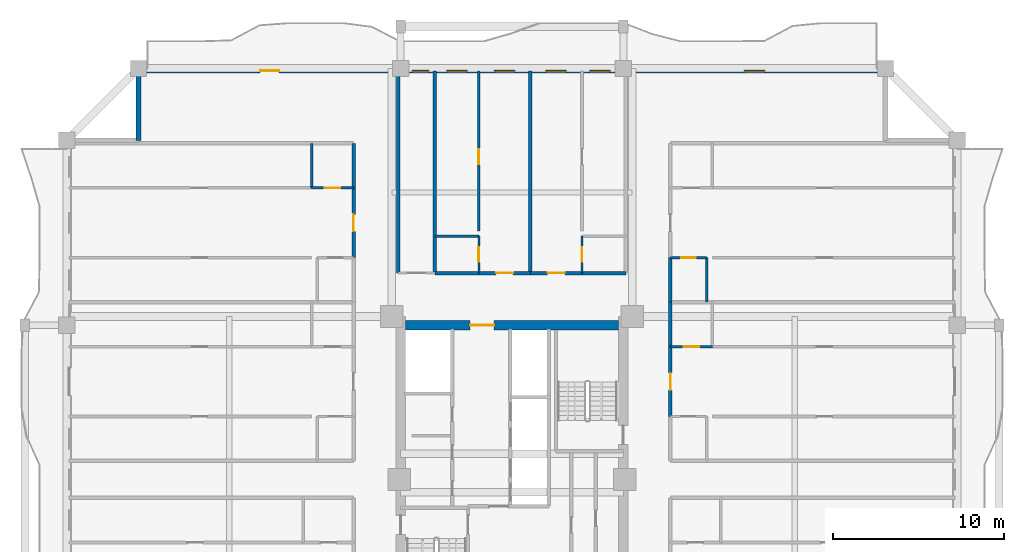
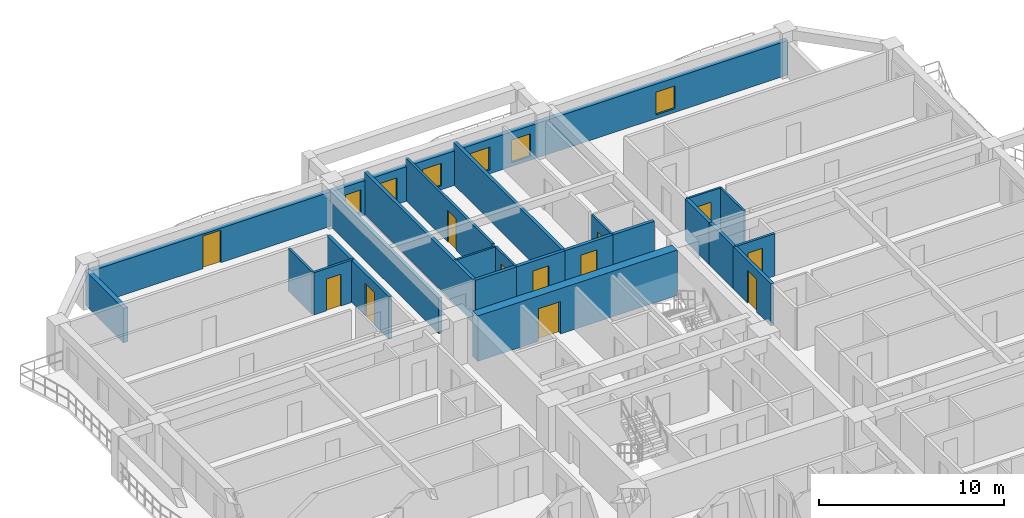
# One storey, part 7 of 13: 24 walls, 12 doors, 6 windows, 18 openings.
"""IFC4 building model written with IfcOpenShell, lengths in metres."""

from ifc_helpers import new_model, si_unit, direction, frame, frame_2d, origin, place, context, subcontext, project, spatial, rectangle, extrude, source, transform, mapped, material, layer, layer_set, type_object, element, fill, save


model = new_model("IFC4")

# Units and contexts
model_context = context("Model", 3, precision=1e-05, world=origin(), true_north=direction((0.0, 1.0)))
body_context = subcontext(model_context, "Body", "Model", "MODEL_VIEW")
ifc_project = project(units=[si_unit("LENGTHUNIT", "METRE"), si_unit("AREAUNIT", "SQUARE_METRE"), si_unit("VOLUMEUNIT", "CUBIC_METRE"), si_unit("PLANEANGLEUNIT", "RADIAN"), si_unit("MASSUNIT", "GRAM", prefix="KILO")], contexts=[model_context])

# Site, building, storey
site_placement = place(None, origin())
site = spatial("IfcSite", under=ifc_project, at=site_placement, CompositionType="ELEMENT")
building_placement = place(site_placement, origin())
building = spatial("IfcBuilding", under=site, at=building_placement, Name="Saelheon Loggia Tower", CompositionType="ELEMENT")
storey_placement = place(building_placement, frame((0.0, 0.0, 104.85009765625)))
storey = spatial("IfcBuildingStorey", under=building, at=storey_placement, Name="L33", CompositionType="ELEMENT", Elevation=104.85009765625)

# Wall, opening, door
ifc_material_1 = material(Name="Concrete C50/60", Category="concrete")
ifc_layer_1 = layer(ifc_material_1, 0.550048828125)
ifc_layer_set_1 = layer_set([ifc_layer_1], Name="Concrete C50/60")
wall_type_1 = type_object("IfcWallType", Name="Wall_CoreShear_550", PredefinedType="SHEAR", material=ifc_layer_set_1)
wall_1_placement = place(storey_placement, frame((31.77490234375, 36.0, 0.0), z_axis=(0.0, 0.0, 1.0), x_axis=(1.0, 0.0, 0.0)))
wall_1 = element("IfcWall", 1, at=wall_1_placement, inside=storey, type_object=wall_type_1, Name="L33 Core Shear Wall North", PredefinedType="SHEAR", context=body_context, shape_type="SweptSolid", body=[
    extrude(rectangle(XDim=12.4501953125, YDim=0.550048828125, at=frame_2d((6.22509765625, 0.0))), origin(), (0.0, 0.0, 1.0), 3.0),
])
opening_1_placement = place(wall_1_placement, frame((5.1748046875, 0.0, 0.0), z_axis=(0.0, 0.0, 1.0), x_axis=(-1.0, 0.0, 0.0)))
opening_1 = element("IfcOpeningElement", 2, at=opening_1_placement, cuts=wall_1, Name="Opening D-FD2L", PredefinedType="OPENING", context=body_context, shape_type="SweptSolid", body=[
    extrude(rectangle(XDim=1.39990234375, YDim=2.14990234375, at=frame_2d((0.699951171875, 1.074951171875))), frame((0.0, 0.287109375, 0.0), z_axis=(0.0, -1.0, 0.0), x_axis=(1.0, 0.0, 0.0)), (0.0, 0.0, 1.0), 0.573974609375),
])
ifc_material_2 = material(Name="Galvanised Steel Glazed Lobby Fire Door", Category="steel")
door_type_1 = type_object("IfcDoorType", Name="Door_Fire_FD60_1400", OperationType="NOTDEFINED", PredefinedType="DOOR", material=ifc_material_2)
shared_shape_1 = source(origin(), body_context, "Body", "SweptSolid", [
    extrude(rectangle(XDim=1.39990234375, YDim=2.14990234375, at=frame_2d((0.699951171875, 1.074951171875))), frame((0.0, 0.02490234375, 0.0), z_axis=(0.0, -1.0, 0.0), x_axis=(1.0, 0.0, 0.0)), (0.0, 0.0, 1.0), 0.050048828125),
])
door_1_placement = place(opening_1_placement, origin())
door_1 = element("IfcDoor", 3, at=door_1_placement, inside=storey, type_object=door_type_1, Name="L33 Passenger Lift Lobby Main Door", OperationType="SINGLE_SWING_RIGHT", OverallHeight=2.14990234375, OverallWidth=1.39990234375, PredefinedType="DOOR", context=body_context, shape_type="MappedRepresentation", body=[
    mapped(shared_shape_1, transform((0.0, 0.0, 0.0), scale=1.0)),
])
fill(opening_1, door_1)

# Wall, openings, windows, door
ifc_material_3 = material(Name="Architectural Precast Concrete C40/50", Category="concrete")
ifc_layer_2 = layer(ifc_material_3, 0.280029296875)
ifc_layer_set_2 = layer_set([ifc_layer_2], Name="Architectural Precast Concrete C40/50")
wall_type_2 = type_object("IfcWallType", Name="Wall_Ext_Loggia_280", PredefinedType="SOLIDWALL", material=ifc_layer_set_2)
wall_2_placement = place(storey_placement, frame((16.199951171875, 50.860107421875, 0.0), z_axis=(0.0, 0.0, 1.0), x_axis=(1.0, 0.0, 0.0)))
wall_2 = element("IfcWall", 4, at=wall_2_placement, inside=storey, type_object=wall_type_2, Name="L33 North Loggia Inner Wall", PredefinedType="SOLIDWALL", context=body_context, shape_type="SweptSolid", body=[
    extrude(rectangle(XDim=43.60009765625, YDim=0.280029296875, at=frame_2d((21.800048828125, 0.0))), origin(), (0.0, 0.0, 1.0), 2.27978515625),
])
opening_2_placement = place(wall_2_placement, frame((7.10009765625, 0.0, 0.0)))
opening_2 = element("IfcOpeningElement", 5, at=opening_2_placement, cuts=wall_2, Name="Opening TD1", PredefinedType="OPENING", context=body_context, shape_type="SweptSolid", body=[
    extrude(rectangle(XDim=1.10009765625, YDim=2.14990234375, at=frame_2d((0.550048828125, 1.074951171875))), frame((0.0, 0.152099609375, 0.0), z_axis=(0.0, -1.0, 0.0), x_axis=(1.0, 0.0, 0.0)), (0.0, 0.0, 1.0), 0.303955078125),
])
opening_3_placement = place(wall_2_placement, frame((15.982421875, 0.0, 0.25)))
opening_3 = element("IfcOpeningElement", 6, at=opening_3_placement, cuts=wall_2, Name="Opening WN-04", PredefinedType="OPENING", context=body_context, shape_type="SweptSolid", body=[
    extrude(rectangle(XDim=0.949951171875, YDim=1.5, at=frame_2d((0.47509765625, 0.75))), frame((0.0, 0.152099609375, 0.0), z_axis=(0.0, -1.0, 0.0), x_axis=(1.0, 0.0, 0.0)), (0.0, 0.0, 1.0), 0.303955078125),
])
opening_4_placement = place(wall_2_placement, frame((17.982421875, 0.0, 0.25)))
opening_4 = element("IfcOpeningElement", 7, at=opening_4_placement, cuts=wall_2, Name="Opening WN-03", PredefinedType="OPENING", context=body_context, shape_type="SweptSolid", body=[
    extrude(rectangle(XDim=1.199951171875, YDim=1.5, at=frame_2d((0.60009765625, 0.75))), frame((0.0, 0.152099609375, 0.0), z_axis=(0.0, -1.0, 0.0), x_axis=(1.0, 0.0, 0.0)), (0.0, 0.0, 1.0), 0.303955078125),
])
opening_5_placement = place(wall_2_placement, frame((20.769775390625, 0.0, 0.25)))
opening_5 = element("IfcOpeningElement", 8, at=opening_5_placement, cuts=wall_2, Name="Opening WN-03", PredefinedType="OPENING", context=body_context, shape_type="SweptSolid", body=[
    extrude(rectangle(XDim=1.199951171875, YDim=1.5, at=frame_2d((0.60009765625, 0.75))), frame((0.0, 0.152099609375, 0.0), z_axis=(0.0, -1.0, 0.0), x_axis=(1.0, 0.0, 0.0)), (0.0, 0.0, 1.0), 0.303955078125),
])
opening_6_placement = place(wall_2_placement, frame((23.7802734375, 0.0, 0.25)))
opening_6 = element("IfcOpeningElement", 9, at=opening_6_placement, cuts=wall_2, Name="Opening WN-03", PredefinedType="OPENING", context=body_context, shape_type="SweptSolid", body=[
    extrude(rectangle(XDim=1.199951171875, YDim=1.5, at=frame_2d((0.60009765625, 0.75))), frame((0.0, 0.152099609375, 0.0), z_axis=(0.0, -1.0, 0.0), x_axis=(1.0, 0.0, 0.0)), (0.0, 0.0, 1.0), 0.303955078125),
])
opening_7_placement = place(wall_2_placement, frame((26.335205078125, 0.0, 0.25)))
opening_7 = element("IfcOpeningElement", 10, at=opening_7_placement, cuts=wall_2, Name="Opening WN-03", PredefinedType="OPENING", context=body_context, shape_type="SweptSolid", body=[
    extrude(rectangle(XDim=1.199951171875, YDim=1.5, at=frame_2d((0.60009765625, 0.75))), frame((0.0, 0.152099609375, 0.0), z_axis=(0.0, -1.0, 0.0), x_axis=(1.0, 0.0, 0.0)), (0.0, 0.0, 1.0), 0.303955078125),
])
opening_8_placement = place(wall_2_placement, frame((35.35009765625, 0.0, 0.25)))
opening_8 = element("IfcOpeningElement", 11, at=opening_8_placement, cuts=wall_2, Name="Opening WN-03", PredefinedType="OPENING", context=body_context, shape_type="SweptSolid", body=[
    extrude(rectangle(XDim=1.199951171875, YDim=1.5, at=frame_2d((0.60009765625, 0.75))), frame((0.0, 0.152099609375, 0.0), z_axis=(0.0, -1.0, 0.0), x_axis=(1.0, 0.0, 0.0)), (0.0, 0.0, 1.0), 0.303955078125),
])
ifc_material_4 = material(Name="Thermal-Break Aluminium and Triple Low-E Glass", Category="aluminium")
window_type_1 = type_object("IfcWindowType", Name="Win_Bedroom_1200x1500", PartitioningType="SINGLE_PANEL", PredefinedType="WINDOW", material=ifc_material_4)
shared_shape_2 = source(origin(), body_context, "Body", "SweptSolid", [
    extrude(rectangle(XDim=1.199951171875, YDim=1.5, at=frame_2d((0.60009765625, 0.75))), frame((0.0, 0.030029296875, 0.0), z_axis=(0.0, -1.0, 0.0), x_axis=(1.0, 0.0, 0.0)), (0.0, 0.0, 1.0), 0.06005859375),
])
window_1_placement = place(opening_4_placement, origin())
window_1 = element("IfcWindow", 12, at=window_1_placement, inside=storey, type_object=window_type_1, Name="L33 N Dwelling Window 3", OverallHeight=1.5, OverallWidth=1.199951171875, PartitioningType="SINGLE_PANEL", PredefinedType="WINDOW", context=body_context, shape_type="MappedRepresentation", body=[
    mapped(shared_shape_2, transform((0.0, 0.0, 0.0), scale=1.0)),
])
fill(opening_4, window_1)
window_2_placement = place(opening_5_placement, origin())
window_2 = element("IfcWindow", 13, at=window_2_placement, inside=storey, type_object=window_type_1, Name="L33 N Dwelling Window 4", OverallHeight=1.5, OverallWidth=1.199951171875, PartitioningType="SINGLE_PANEL", PredefinedType="WINDOW", context=body_context, shape_type="MappedRepresentation", body=[
    mapped(shared_shape_2, transform((0.0, 0.0, 0.0), scale=1.0)),
])
fill(opening_5, window_2)
window_3_placement = place(opening_6_placement, origin())
window_3 = element("IfcWindow", 14, at=window_3_placement, inside=storey, type_object=window_type_1, Name="L33 N Dwelling Window 5", OverallHeight=1.5, OverallWidth=1.199951171875, PartitioningType="SINGLE_PANEL", PredefinedType="WINDOW", context=body_context, shape_type="MappedRepresentation", body=[
    mapped(shared_shape_2, transform((0.0, 0.0, 0.0), scale=1.0)),
])
fill(opening_6, window_3)
window_4_placement = place(opening_7_placement, origin())
window_4 = element("IfcWindow", 15, at=window_4_placement, inside=storey, type_object=window_type_1, Name="L33 N Dwelling Window 6", OverallHeight=1.5, OverallWidth=1.199951171875, PartitioningType="SINGLE_PANEL", PredefinedType="WINDOW", context=body_context, shape_type="MappedRepresentation", body=[
    mapped(shared_shape_2, transform((0.0, 0.0, 0.0), scale=1.0)),
])
fill(opening_7, window_4)
window_5_placement = place(opening_8_placement, origin())
window_5 = element("IfcWindow", 16, at=window_5_placement, inside=storey, type_object=window_type_1, Name="L33 N Dwelling Window 7", OverallHeight=1.5, OverallWidth=1.199951171875, PartitioningType="SINGLE_PANEL", PredefinedType="WINDOW", context=body_context, shape_type="MappedRepresentation", body=[
    mapped(shared_shape_2, transform((0.0, 0.0, 0.0), scale=1.0)),
])
fill(opening_8, window_5)
ifc_material_5 = material(Name="Thermal-Break Aluminium Glazed Door", Category="aluminium")
door_type_2 = type_object("IfcDoorType", Name="Door_Terrace_TD1", OperationType="NOTDEFINED", PredefinedType="DOOR", material=ifc_material_5)
shared_shape_3 = source(origin(), body_context, "Body", "SweptSolid", [
    extrude(rectangle(XDim=1.10009765625, YDim=2.14990234375, at=frame_2d((0.550048828125, 1.074951171875))), frame((0.0, 0.02490234375, 0.0), z_axis=(0.0, -1.0, 0.0), x_axis=(1.0, 0.0, 0.0)), (0.0, 0.0, 1.0), 0.050048828125),
])
door_2_placement = place(opening_2_placement, origin())
door_2 = element("IfcDoor", 17, at=door_2_placement, inside=storey, type_object=door_type_2, Name="L33 N Loggia Access Door", OperationType="SINGLE_SWING_LEFT", OverallHeight=2.14990234375, OverallWidth=1.10009765625, PredefinedType="DOOR", context=body_context, shape_type="MappedRepresentation", body=[
    mapped(shared_shape_3, transform((0.0, 0.0, 0.0), scale=1.0)),
])
fill(opening_2, door_2)
window_type_2 = type_object("IfcWindowType", Name="Win_Narrow_950x1500", PartitioningType="SINGLE_PANEL", PredefinedType="WINDOW", material=ifc_material_4)
shared_shape_4 = source(origin(), body_context, "Body", "SweptSolid", [
    extrude(rectangle(XDim=0.949951171875, YDim=1.5, at=frame_2d((0.47509765625, 0.75))), frame((0.0, 0.030029296875, 0.0), z_axis=(0.0, -1.0, 0.0), x_axis=(1.0, 0.0, 0.0)), (0.0, 0.0, 1.0), 0.06005859375),
])
window_6_placement = place(opening_3_placement, origin())
window_6 = element("IfcWindow", 18, at=window_6_placement, inside=storey, type_object=window_type_2, Name="L33 N Dwelling Window 2", OverallHeight=1.5, OverallWidth=0.949951171875, PartitioningType="SINGLE_PANEL", PredefinedType="WINDOW", context=body_context, shape_type="MappedRepresentation", body=[
    mapped(shared_shape_4, transform((0.0, 0.0, 0.0), scale=1.0)),
])
fill(opening_3, window_6)

# Wall
wall_3_placement = place(storey_placement, frame((16.199951171875, 46.800048828125, 0.0), z_axis=(0.0, 0.0, 1.0), x_axis=(0.0, 1.0, 0.0)))
element("IfcWall", 19, at=wall_3_placement, inside=storey, type_object=wall_type_2, Name="L33 Corner Notch Precast Wall NW1", PredefinedType="SOLIDWALL", context=body_context, shape_type="SweptSolid", body=[
    extrude(rectangle(XDim=4.119873046875, YDim=0.280029296875, at=frame_2d((2.06005859375, 0.0))), origin(), (0.0, 0.0, 1.0), 2.27978515625),
])

# Wall, opening, door
ifc_material_6 = material(Name="Lightweight Autoclaved Aerated Concrete Block and Acoustic Gypsum", Category="concrete")
ifc_layer_3 = layer(ifc_material_6, 0.14990234375)
ifc_layer_set_3 = layer_set([ifc_layer_3], Name="Lightweight Autoclaved Aerated Concrete Block and Acoustic Gypsum")
wall_type_3 = type_object("IfcWallType", Name="Wall_Part_150", PredefinedType="PARTITIONING", material=ifc_layer_set_3)
wall_4_placement = place(storey_placement, frame((36.064453125, 41.5, 0.0), z_axis=(0.0, 0.0, 1.0), x_axis=(0.0, 1.0, 0.0)))
wall_4 = element("IfcWall", 20, at=wall_4_placement, inside=storey, type_object=wall_type_3, Name="L33 N Partition U09", PredefinedType="PARTITIONING", context=body_context, shape_type="SweptSolid", body=[
    extrude(rectangle(XDim=9.35009765625, YDim=0.14990234375, at=frame_2d((4.675048828125, 0.0))), origin(), (0.0, 0.0, 1.0), 2.789794921875),
])
opening_9_placement = place(wall_4_placement, frame((3.892822265625, 0.0, 0.0)))
opening_9 = element("IfcOpeningElement", 21, at=opening_9_placement, cuts=wall_4, Name="Opening D-IN2", PredefinedType="OPENING", context=body_context, shape_type="SweptSolid", body=[
    extrude(rectangle(XDim=0.89990234375, YDim=2.10009765625, at=frame_2d((0.449951171875, 1.050048828125))), frame((0.0, 0.0869140625, 0.0), z_axis=(0.0, -1.0, 0.0), x_axis=(1.0, 0.0, 0.0)), (0.0, 0.0, 1.0), 0.173828125),
])
ifc_material_7 = material(Name="Engineered Oak Flush Door", Category="timber")
door_type_3 = type_object("IfcDoorType", Name="Door_Int_900", OperationType="NOTDEFINED", PredefinedType="DOOR", material=ifc_material_7)
shared_shape_5 = source(origin(), body_context, "Body", "SweptSolid", [
    extrude(rectangle(XDim=0.89990234375, YDim=2.10009765625, at=frame_2d((0.449951171875, 1.050048828125))), frame((0.0, 0.02490234375, 0.0), z_axis=(0.0, -1.0, 0.0), x_axis=(1.0, 0.0, 0.0)), (0.0, 0.0, 1.0), 0.050048828125),
])
door_3_placement = place(opening_9_placement, origin())
door_3 = element("IfcDoor", 22, at=door_3_placement, inside=storey, type_object=door_type_3, Name="Unit U04 Kitchen Door", OperationType="SINGLE_SWING_RIGHT", OverallHeight=2.10009765625, OverallWidth=0.89990234375, PredefinedType="DOOR", context=body_context, shape_type="MappedRepresentation", body=[
    mapped(shared_shape_5, transform((0.0, 0.0, 0.0), scale=1.0)),
])
fill(opening_9, door_3)

# Wall
wall_5_placement = place(storey_placement, frame((26.300048828125, 44.02001953125, 0.0), z_axis=(0.0, 0.0, 1.0), x_axis=(0.0, 1.0, 0.0)))
element("IfcWall", 23, at=wall_5_placement, inside=storey, type_object=wall_type_3, Name="L33 WN Partition V17", PredefinedType="PARTITIONING", context=body_context, shape_type="SweptSolid", body=[
    extrude(rectangle(XDim=2.60009765625, YDim=0.14990234375, at=frame_2d((1.300048828125, 0.0))), origin(), (0.0, 0.0, 1.0), 2.789794921875),
])

# Wall, opening, door
wall_6_placement = place(storey_placement, frame((28.75, 44.02001953125, 0.0), z_axis=(0.0, 0.0, 1.0), x_axis=(-1.0, 0.0, 0.0)))
wall_6 = element("IfcWall", 24, at=wall_6_placement, inside=storey, type_object=wall_type_3, Name="L33 WN Partition U20", PredefinedType="PARTITIONING", context=body_context, shape_type="SweptSolid", body=[
    extrude(rectangle(XDim=2.449951171875, YDim=0.14990234375, at=frame_2d((1.22509765625, 0.0))), origin(), (0.0, 0.0, 1.0), 2.789794921875),
])
opening_10_placement = place(wall_6_placement, frame((0.77490234375, 0.0, 0.0)))
opening_10 = element("IfcOpeningElement", 25, at=opening_10_placement, cuts=wall_6, Name="Opening D-IN2", PredefinedType="OPENING", context=body_context, shape_type="SweptSolid", body=[
    extrude(rectangle(XDim=0.89990234375, YDim=2.10009765625, at=frame_2d((0.449951171875, 1.050048828125))), frame((0.0, 0.0869140625, 0.0), z_axis=(0.0, -1.0, 0.0), x_axis=(1.0, 0.0, 0.0)), (0.0, 0.0, 1.0), 0.173828125),
])
door_4_placement = place(opening_10_placement, origin())
door_4 = element("IfcDoor", 26, at=door_4_placement, inside=storey, type_object=door_type_3, Name="Unit U09 Dressing Closet Door", OperationType="SINGLE_SWING_RIGHT", OverallHeight=2.10009765625, OverallWidth=0.89990234375, PredefinedType="DOOR", context=body_context, shape_type="MappedRepresentation", body=[
    mapped(shared_shape_5, transform((0.0, 0.0, 0.0), scale=1.0)),
])
fill(opening_10, door_4)

wall_7_placement = place(storey_placement, frame((47.25, 34.75, 0.0), z_axis=(0.0, 0.0, 1.0), x_axis=(1.0, 0.0, 0.0)))
wall_7 = element("IfcWall", 27, at=wall_7_placement, inside=storey, type_object=wall_type_3, Name="L33 EN Partition U10", PredefinedType="PARTITIONING", context=body_context, shape_type="SweptSolid", body=[
    extrude(rectangle(XDim=2.449951171875, YDim=0.14990234375, at=frame_2d((1.22509765625, 0.0))), origin(), (0.0, 0.0, 1.0), 2.789794921875),
])
opening_11_placement = place(wall_7_placement, frame((0.77490234375, 0.0, 0.0)))
opening_11 = element("IfcOpeningElement", 28, at=opening_11_placement, cuts=wall_7, Name="Opening D-IN2", PredefinedType="OPENING", context=body_context, shape_type="SweptSolid", body=[
    extrude(rectangle(XDim=0.89990234375, YDim=2.10009765625, at=frame_2d((0.449951171875, 1.050048828125))), frame((0.0, 0.0869140625, 0.0), z_axis=(0.0, -1.0, 0.0), x_axis=(1.0, 0.0, 0.0)), (0.0, 0.0, 1.0), 0.173828125),
])
door_5_placement = place(opening_11_placement, origin())
door_5 = element("IfcDoor", 29, at=door_5_placement, inside=storey, type_object=door_type_3, Name="Unit U12 Dressing Closet Door", OperationType="SINGLE_SWING_LEFT", OverallHeight=2.10009765625, OverallWidth=0.89990234375, PredefinedType="DOOR", context=body_context, shape_type="MappedRepresentation", body=[
    mapped(shared_shape_5, transform((0.0, 0.0, 0.0), scale=1.0)),
])
fill(opening_11, door_5)

# Walls
ifc_material_8 = material(Name="Double Acoustic Stud and Fireboard Partition", Category="gypsum")
ifc_layer_4 = layer(ifc_material_8, 0.199951171875)
ifc_layer_set_4 = layer_set([ifc_layer_4], Name="Double Acoustic Stud and Fireboard Partition")
wall_type_4 = type_object("IfcWallType", Name="Wall_Party_200", PredefinedType="PARTITIONING", material=ifc_layer_set_4)
wall_8_placement = place(storey_placement, frame((31.35009765625, 39.050048828125, 0.0), z_axis=(0.0, 0.0, 1.0), x_axis=(0.0, 1.0, 0.0)))
element("IfcWall", 30, at=wall_8_placement, inside=storey, type_object=wall_type_4, Name="L33 N Partition U01", PredefinedType="PARTITIONING", context=body_context, shape_type="SweptSolid", body=[
    extrude(rectangle(XDim=11.800048828125, YDim=0.199951171875, at=frame_2d((5.89990234375, 0.0))), origin(), (0.0, 0.0, 1.0), 2.33984375),
])
wall_9_placement = place(storey_placement, frame((33.5, 39.050048828125, 0.0), z_axis=(0.0, 0.0, 1.0), x_axis=(0.0, 1.0, 0.0)))
element("IfcWall", 31, at=wall_9_placement, inside=storey, type_object=wall_type_4, Name="L33 N Partition U03", PredefinedType="PARTITIONING", context=body_context, shape_type="SweptSolid", body=[
    extrude(rectangle(XDim=11.800048828125, YDim=0.199951171875, at=frame_2d((5.89990234375, 0.0))), origin(), (0.0, 0.0, 1.0), 2.789794921875),
])
wall_10_placement = place(storey_placement, frame((33.5, 39.050048828125, 0.0), z_axis=(0.0, 0.0, 1.0), x_axis=(1.0, 0.0, 0.0)))
element("IfcWall", 32, at=wall_10_placement, inside=storey, type_object=wall_type_4, Name="L33 N Partition V05", PredefinedType="PARTITIONING", context=body_context, shape_type="SweptSolid", body=[
    extrude(rectangle(XDim=2.564453125, YDim=0.199951171875, at=frame_2d((1.2822265625, 0.0))), origin(), (0.0, 0.0, 1.0), 2.789794921875),
])

# Wall, opening, door
wall_11_placement = place(storey_placement, frame((36.064453125, 39.050048828125, 0.0), z_axis=(0.0, 0.0, 1.0), x_axis=(1.0, 0.0, 0.0)))
wall_11 = element("IfcWall", 33, at=wall_11_placement, inside=storey, type_object=wall_type_4, Name="L33 N Partition V06", PredefinedType="PARTITIONING", context=body_context, shape_type="SweptSolid", body=[
    extrude(rectangle(XDim=3.010498046875, YDim=0.199951171875, at=frame_2d((1.50537109375, 0.0))), origin(), (0.0, 0.0, 1.0), 2.789794921875),
])
opening_12_placement = place(wall_11_placement, frame((1.00537109375, 0.0, 0.0)))
opening_12 = element("IfcOpeningElement", 34, at=opening_12_placement, cuts=wall_11, Name="Opening D-FD1", PredefinedType="OPENING", context=body_context, shape_type="SweptSolid", body=[
    extrude(rectangle(XDim=1.0, YDim=2.14990234375, at=frame_2d((0.5, 1.074951171875))), frame((0.0, 0.112060546875, 0.0), z_axis=(0.0, -1.0, 0.0), x_axis=(1.0, 0.0, 0.0)), (0.0, 0.0, 1.0), 0.223876953125),
])
ifc_material_9 = material(Name="Fire-Rated Engineered Timber Entrance Door", Category="wood")
door_type_4 = type_object("IfcDoorType", Name="Door_Flat_FD30S", OperationType="NOTDEFINED", PredefinedType="DOOR", material=ifc_material_9)
shared_shape_6 = source(origin(), body_context, "Body", "SweptSolid", [
    extrude(rectangle(XDim=1.0, YDim=2.14990234375, at=frame_2d((0.5, 1.074951171875))), frame((0.0, 0.02490234375, 0.0), z_axis=(0.0, -1.0, 0.0), x_axis=(1.0, 0.0, 0.0)), (0.0, 0.0, 1.0), 0.050048828125),
])
door_6_placement = place(opening_12_placement, origin())
door_6 = element("IfcDoor", 35, at=door_6_placement, inside=storey, type_object=door_type_4, Name="Unit U04 Entrance Door", OperationType="SINGLE_SWING_RIGHT", OverallHeight=2.14990234375, OverallWidth=1.0, PredefinedType="DOOR", context=body_context, shape_type="MappedRepresentation", body=[
    mapped(shared_shape_6, transform((0.0, 0.0, 0.0), scale=1.0)),
])
fill(opening_12, door_6)

# Wall
wall_12_placement = place(storey_placement, frame((39.074951171875, 39.050048828125, 0.0), z_axis=(0.0, 0.0, 1.0), x_axis=(0.0, 1.0, 0.0)))
element("IfcWall", 36, at=wall_12_placement, inside=storey, type_object=wall_type_4, Name="L33 N Partition U10", PredefinedType="PARTITIONING", context=body_context, shape_type="SweptSolid", body=[
    extrude(rectangle(XDim=11.800048828125, YDim=0.199951171875, at=frame_2d((5.89990234375, 0.0))), origin(), (0.0, 0.0, 1.0), 2.789794921875),
])

# Wall, opening, door
wall_13_placement = place(storey_placement, frame((39.074951171875, 39.050048828125, 0.0), z_axis=(0.0, 0.0, 1.0), x_axis=(1.0, 0.0, 0.0)))
wall_13 = element("IfcWall", 37, at=wall_13_placement, inside=storey, type_object=wall_type_4, Name="L33 N Partition V11", PredefinedType="PARTITIONING", context=body_context, shape_type="SweptSolid", body=[
    extrude(rectangle(XDim=3.010498046875, YDim=0.199951171875, at=frame_2d((1.50537109375, 0.0))), origin(), (0.0, 0.0, 1.0), 2.789794921875),
])
opening_13_placement = place(wall_13_placement, frame((1.00537109375, 0.0, 0.0)))
opening_13 = element("IfcOpeningElement", 38, at=opening_13_placement, cuts=wall_13, Name="Opening D-FD1", PredefinedType="OPENING", context=body_context, shape_type="SweptSolid", body=[
    extrude(rectangle(XDim=1.0, YDim=2.14990234375, at=frame_2d((0.5, 1.074951171875))), frame((0.0, 0.112060546875, 0.0), z_axis=(0.0, -1.0, 0.0), x_axis=(1.0, 0.0, 0.0)), (0.0, 0.0, 1.0), 0.223876953125),
])
door_7_placement = place(opening_13_placement, origin())
door_7 = element("IfcDoor", 39, at=door_7_placement, inside=storey, type_object=door_type_4, Name="Unit U05 Entrance Door", OperationType="SINGLE_SWING_LEFT", OverallHeight=2.14990234375, OverallWidth=1.0, PredefinedType="DOOR", context=body_context, shape_type="MappedRepresentation", body=[
    mapped(shared_shape_6, transform((0.0, 0.0, 0.0), scale=1.0)),
])
fill(opening_13, door_7)

# Wall
wall_14_placement = place(storey_placement, frame((42.08544921875, 39.050048828125, 0.0), z_axis=(0.0, 0.0, 1.0), x_axis=(1.0, 0.0, 0.0)))
element("IfcWall", 40, at=wall_14_placement, inside=storey, type_object=wall_type_4, Name="L33 N Partition V12", PredefinedType="PARTITIONING", context=body_context, shape_type="SweptSolid", body=[
    extrude(rectangle(XDim=2.564453125, YDim=0.199951171875, at=frame_2d((1.2822265625, 0.0))), origin(), (0.0, 0.0, 1.0), 2.789794921875),
])

# Wall, opening, door
wall_15_placement = place(storey_placement, frame((28.75, 39.945556640625, 0.0), z_axis=(0.0, 0.0, 1.0), x_axis=(0.0, 1.0, 0.0)))
wall_15 = element("IfcWall", 41, at=wall_15_placement, inside=storey, type_object=wall_type_4, Name="L33 WN Partition V14", PredefinedType="PARTITIONING", context=body_context, shape_type="SweptSolid", body=[
    extrude(rectangle(XDim=4.074462890625, YDim=0.199951171875, at=frame_2d((2.037109375, 0.0))), origin(), (0.0, 0.0, 1.0), 2.789794921875),
])
opening_14_placement = place(wall_15_placement, frame((1.537109375, 0.0, 0.0)))
opening_14 = element("IfcOpeningElement", 42, at=opening_14_placement, cuts=wall_15, Name="Opening D-FD1", PredefinedType="OPENING", context=body_context, shape_type="SweptSolid", body=[
    extrude(rectangle(XDim=1.0, YDim=2.14990234375, at=frame_2d((0.5, 1.074951171875))), frame((0.0, 0.112060546875, 0.0), z_axis=(0.0, -1.0, 0.0), x_axis=(1.0, 0.0, 0.0)), (0.0, 0.0, 1.0), 0.223876953125),
])
door_8_placement = place(opening_14_placement, origin())
door_8 = element("IfcDoor", 43, at=door_8_placement, inside=storey, type_object=door_type_4, Name="Unit U09 Entrance Door", OperationType="SINGLE_SWING_LEFT", OverallHeight=2.14990234375, OverallWidth=1.0, PredefinedType="DOOR", context=body_context, shape_type="MappedRepresentation", body=[
    mapped(shared_shape_6, transform((0.0, 0.0, 0.0), scale=1.0)),
])
fill(opening_14, door_8)

# Wall
wall_16_placement = place(storey_placement, frame((28.75, 44.02001953125, 0.0), z_axis=(0.0, 0.0, 1.0), x_axis=(0.0, 1.0, 0.0)))
element("IfcWall", 44, at=wall_16_placement, inside=storey, type_object=wall_type_4, Name="L33 WN Partition V15", PredefinedType="PARTITIONING", context=body_context, shape_type="SweptSolid", body=[
    extrude(rectangle(XDim=2.60009765625, YDim=0.199951171875, at=frame_2d((1.300048828125, 0.0))), origin(), (0.0, 0.0, 1.0), 2.789794921875),
])

# Wall, opening, door
wall_17_placement = place(storey_placement, frame((47.25, 30.675537109375, 0.0), z_axis=(0.0, 0.0, 1.0), x_axis=(0.0, 1.0, 0.0)))
wall_17 = element("IfcWall", 45, at=wall_17_placement, inside=storey, type_object=wall_type_4, Name="L33 EN Partition V04", PredefinedType="PARTITIONING", context=body_context, shape_type="SweptSolid", body=[
    extrude(rectangle(XDim=4.074462890625, YDim=0.199951171875, at=frame_2d((2.037109375, 0.0))), origin(), (0.0, 0.0, 1.0), 2.789794921875),
])
opening_15_placement = place(wall_17_placement, frame((1.537109375, 0.0, 0.0)))
opening_15 = element("IfcOpeningElement", 46, at=opening_15_placement, cuts=wall_17, Name="Opening D-FD1", PredefinedType="OPENING", context=body_context, shape_type="SweptSolid", body=[
    extrude(rectangle(XDim=1.0, YDim=2.14990234375, at=frame_2d((0.5, 1.074951171875))), frame((0.0, 0.112060546875, 0.0), z_axis=(0.0, -1.0, 0.0), x_axis=(1.0, 0.0, 0.0)), (0.0, 0.0, 1.0), 0.223876953125),
])
door_9_placement = place(opening_15_placement, origin())
door_9 = element("IfcDoor", 47, at=door_9_placement, inside=storey, type_object=door_type_4, Name="Unit U12 Entrance Door", OperationType="SINGLE_SWING_RIGHT", OverallHeight=2.14990234375, OverallWidth=1.0, PredefinedType="DOOR", context=body_context, shape_type="MappedRepresentation", body=[
    mapped(shared_shape_6, transform((0.0, 0.0, 0.0), scale=1.0)),
])
fill(opening_15, door_9)

# Walls
wall_18_placement = place(storey_placement, frame((47.25, 34.75, 0.0), z_axis=(0.0, 0.0, 1.0), x_axis=(0.0, 1.0, 0.0)))
element("IfcWall", 48, at=wall_18_placement, inside=storey, type_object=wall_type_4, Name="L33 EN Partition V05", PredefinedType="PARTITIONING", context=body_context, shape_type="SweptSolid", body=[
    extrude(rectangle(XDim=2.60009765625, YDim=0.199951171875, at=frame_2d((1.300048828125, 0.0))), origin(), (0.0, 0.0, 1.0), 2.789794921875),
])
wall_19_placement = place(storey_placement, frame((47.25, 37.35009765625, 0.0), z_axis=(0.0, 0.0, 1.0), x_axis=(0.0, 1.0, 0.0)))
element("IfcWall", 49, at=wall_19_placement, inside=storey, type_object=wall_type_4, Name="L33 EN Partition V13", PredefinedType="PARTITIONING", context=body_context, shape_type="SweptSolid", body=[
    extrude(rectangle(XDim=2.595458984375, YDim=0.199951171875, at=frame_2d((1.2978515625, 0.0))), origin(), (0.0, 0.0, 1.0), 2.789794921875),
])

# Wall, opening, door
ifc_material_10 = material(Name="Moisture-Resistant Cement Board Partition", Category="gypsum")
ifc_layer_5 = layer(ifc_material_10, 0.1201171875)
ifc_layer_set_5 = layer_set([ifc_layer_5], Name="Moisture-Resistant Cement Board Partition")
wall_type_5 = type_object("IfcWallType", Name="Wall_WetPart_120", PredefinedType="PARTITIONING", material=ifc_layer_set_5)
wall_20_placement = place(storey_placement, frame((36.064453125, 39.050048828125, 0.0), z_axis=(0.0, 0.0, 1.0), x_axis=(0.0, 1.0, 0.0)))
wall_20 = element("IfcWall", 50, at=wall_20_placement, inside=storey, type_object=wall_type_5, Name="L33 N Partition U07", PredefinedType="PARTITIONING", context=body_context, shape_type="SweptSolid", body=[
    extrude(rectangle(XDim=2.14990234375, YDim=0.1201171875, at=frame_2d((1.074951171875, 0.0))), origin(), (0.0, 0.0, 1.0), 2.789794921875),
])
opening_16_placement = place(wall_20_placement, frame((0.64990234375, 0.0, 0.0)))
opening_16 = element("IfcOpeningElement", 51, at=opening_16_placement, cuts=wall_20, Name="Opening D-BT1", PredefinedType="OPENING", context=body_context, shape_type="SweptSolid", body=[
    extrude(rectangle(XDim=0.85009765625, YDim=2.050048828125, at=frame_2d((0.425048828125, 1.02490234375))), frame((0.0, 0.072021484375, 0.0), z_axis=(0.0, -1.0, 0.0), x_axis=(1.0, 0.0, 0.0)), (0.0, 0.0, 1.0), 0.14404296875),
])
ifc_material_11 = material(Name="Moisture-Resistant Laminate Timber Door", Category="wood")
door_type_5 = type_object("IfcDoorType", Name="Door_Bath_850", OperationType="NOTDEFINED", PredefinedType="DOOR", material=ifc_material_11)
shared_shape_7 = source(origin(), body_context, "Body", "SweptSolid", [
    extrude(rectangle(XDim=0.85009765625, YDim=2.050048828125, at=frame_2d((0.425048828125, 1.02490234375))), frame((0.0, 0.02490234375, 0.0), z_axis=(0.0, -1.0, 0.0), x_axis=(1.0, 0.0, 0.0)), (0.0, 0.0, 1.0), 0.050048828125),
])
door_10_placement = place(opening_16_placement, origin())
door_10 = element("IfcDoor", 52, at=door_10_placement, inside=storey, type_object=door_type_5, Name="Unit U04 Bathroom Door", OperationType="SINGLE_SWING_LEFT", OverallHeight=2.050048828125, OverallWidth=0.85009765625, PredefinedType="DOOR", context=body_context, shape_type="MappedRepresentation", body=[
    mapped(shared_shape_7, transform((0.0, 0.0, 0.0), scale=1.0)),
])
fill(opening_16, door_10)

# Wall
wall_21_placement = place(storey_placement, frame((33.5, 41.199951171875, 0.0), z_axis=(0.0, 0.0, 1.0), x_axis=(1.0, 0.0, 0.0)))
element("IfcWall", 53, at=wall_21_placement, inside=storey, type_object=wall_type_5, Name="L33 N Partition V08", PredefinedType="PARTITIONING", context=body_context, shape_type="SweptSolid", body=[
    extrude(rectangle(XDim=2.564453125, YDim=0.1201171875, at=frame_2d((1.2822265625, 0.0))), origin(), (0.0, 0.0, 1.0), 2.789794921875),
])

# Wall, opening, door
wall_22_placement = place(storey_placement, frame((42.08544921875, 39.050048828125, 0.0), z_axis=(0.0, 0.0, 1.0), x_axis=(0.0, 1.0, 0.0)))
wall_22 = element("IfcWall", 54, at=wall_22_placement, inside=storey, type_object=wall_type_5, Name="L33 N Partition U13", PredefinedType="PARTITIONING", context=body_context, shape_type="SweptSolid", body=[
    extrude(rectangle(XDim=2.14990234375, YDim=0.1201171875, at=frame_2d((1.074951171875, 0.0))), origin(), (0.0, 0.0, 1.0), 2.789794921875),
])
opening_17_placement = place(wall_22_placement, frame((0.64990234375, 0.0, 0.0)))
opening_17 = element("IfcOpeningElement", 55, at=opening_17_placement, cuts=wall_22, Name="Opening D-BT1", PredefinedType="OPENING", context=body_context, shape_type="SweptSolid", body=[
    extrude(rectangle(XDim=0.85009765625, YDim=2.050048828125, at=frame_2d((0.425048828125, 1.02490234375))), frame((0.0, 0.072021484375, 0.0), z_axis=(0.0, -1.0, 0.0), x_axis=(1.0, 0.0, 0.0)), (0.0, 0.0, 1.0), 0.14404296875),
])
door_11_placement = place(opening_17_placement, origin())
door_11 = element("IfcDoor", 56, at=door_11_placement, inside=storey, type_object=door_type_5, Name="Unit U05 Bathroom Door", OperationType="SINGLE_SWING_RIGHT", OverallHeight=2.050048828125, OverallWidth=0.85009765625, PredefinedType="DOOR", context=body_context, shape_type="MappedRepresentation", body=[
    mapped(shared_shape_7, transform((0.0, 0.0, 0.0), scale=1.0)),
])
fill(opening_17, door_11)

# Wall
wall_23_placement = place(storey_placement, frame((49.3701171875, 37.35009765625, 0.0), z_axis=(0.0, 0.0, 1.0), x_axis=(0.0, 1.0, 0.0)))
element("IfcWall", 57, at=wall_23_placement, inside=storey, type_object=wall_type_5, Name="L33 EN Partition V16", PredefinedType="PARTITIONING", context=body_context, shape_type="SweptSolid", body=[
    extrude(rectangle(XDim=2.595458984375, YDim=0.1201171875, at=frame_2d((1.2978515625, 0.0))), origin(), (0.0, 0.0, 1.0), 2.789794921875),
])

# Wall, opening, door
wall_24_placement = place(storey_placement, frame((47.25, 39.945556640625, 0.0), z_axis=(0.0, 0.0, 1.0), x_axis=(1.0, 0.0, 0.0)))
wall_24 = element("IfcWall", 58, at=wall_24_placement, inside=storey, type_object=wall_type_5, Name="L33 EN Partition U18", PredefinedType="PARTITIONING", context=body_context, shape_type="SweptSolid", body=[
    extrude(rectangle(XDim=2.1201171875, YDim=0.1201171875, at=frame_2d((1.06005859375, 0.0))), origin(), (0.0, 0.0, 1.0), 2.789794921875),
])
opening_18_placement = place(wall_24_placement, frame((0.635009765625, 0.0, 0.0)))
opening_18 = element("IfcOpeningElement", 59, at=opening_18_placement, cuts=wall_24, Name="Opening D-BT1", PredefinedType="OPENING", context=body_context, shape_type="SweptSolid", body=[
    extrude(rectangle(XDim=0.85009765625, YDim=2.050048828125, at=frame_2d((0.425048828125, 1.02490234375))), frame((0.0, 0.072021484375, 0.0), z_axis=(0.0, -1.0, 0.0), x_axis=(1.0, 0.0, 0.0)), (0.0, 0.0, 1.0), 0.14404296875),
])
door_12_placement = place(opening_18_placement, origin())
door_12 = element("IfcDoor", 60, at=door_12_placement, inside=storey, type_object=door_type_5, Name="Unit U13 Bathroom Door", OperationType="SINGLE_SWING_RIGHT", OverallHeight=2.050048828125, OverallWidth=0.85009765625, PredefinedType="DOOR", context=body_context, shape_type="MappedRepresentation", body=[
    mapped(shared_shape_7, transform((0.0, 0.0, 0.0), scale=1.0)),
])
fill(opening_18, door_12)

save(model, "model.ifc")
